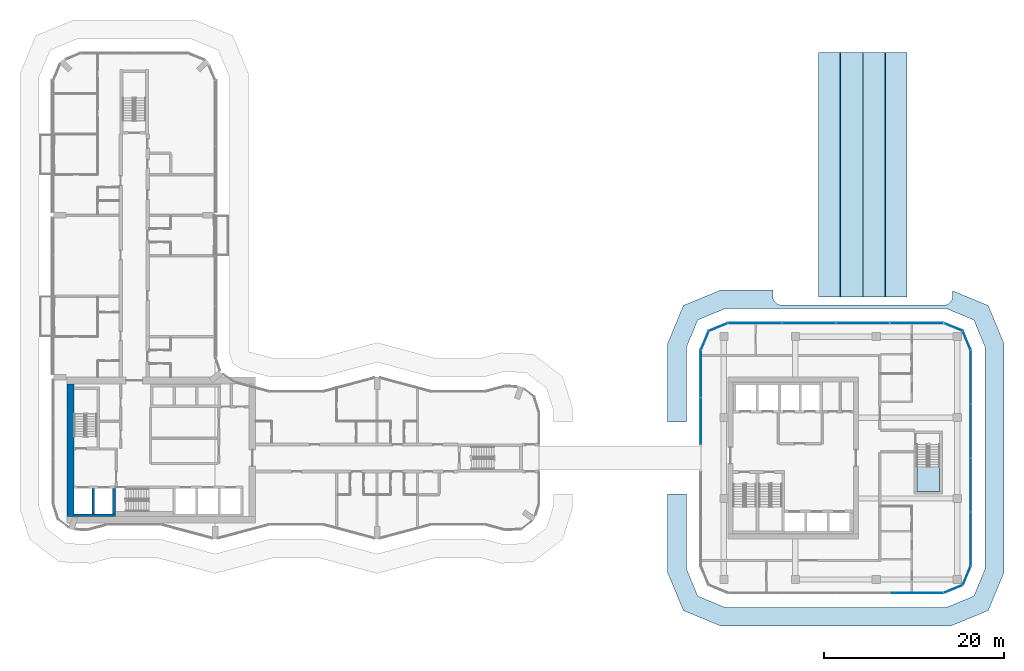
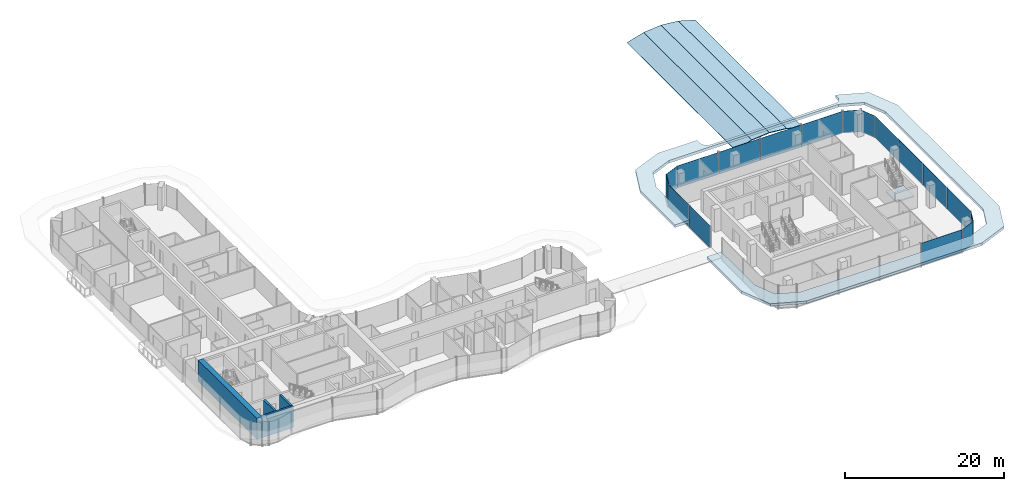
# One storey, part 13 of 24: 17 plates, 6 slabs, 4 walls, 11 elements without a shape of their own.
"""IFC4 building model written with IfcOpenShell, lengths in metres."""

from ifc_helpers import new_model, si_unit, direction, frame, frame_2d, origin, origin_2d, place, context, subcontext, project, spatial, polyline, rectangle, outline, extrude, material, layer, layer_set, type_object, element, aggregate, save


model = new_model("IFC4")

# Units and contexts
model_context = context("Model", 3, precision=1e-05, world=origin(), true_north=direction((0.0, 1.0)))
body_context = subcontext(model_context, "Body", "Model", "MODEL_VIEW")
ifc_project = project(units=[si_unit("LENGTHUNIT", "METRE"), si_unit("AREAUNIT", "SQUARE_METRE"), si_unit("VOLUMEUNIT", "CUBIC_METRE"), si_unit("PLANEANGLEUNIT", "RADIAN"), si_unit("MASSUNIT", "GRAM", prefix="KILO")], contexts=[model_context])

# Site, building, storey
site_placement = place(None, origin())
site = spatial("IfcSite", under=ifc_project, at=site_placement, CompositionType="ELEMENT")
building_placement = place(site_placement, origin())
building = spatial("IfcBuilding", under=site, at=building_placement, Name="Plateau Cross Towers", CompositionType="ELEMENT")
storey_placement = place(building_placement, frame((0.0, 0.0, 30.300048828125)))
storey = spatial("IfcBuildingStorey", under=building, at=storey_placement, Name="L06", CompositionType="ELEMENT", Elevation=30.300048828125)

# Curtain wall, plate
ifc_material_1 = material(Name="Dark low-iron glass", Category="glass")
ifc_layer_1 = layer(ifc_material_1, 0.239990234375)
ifc_layer_set_1 = layer_set([ifc_layer_1], Name="Dark low-iron glass")
curtain_wall_type = type_object("IfcCurtainWallType", Name="Curtain wall office unitised CW-F", PredefinedType="NOTDEFINED", material=ifc_layer_set_1)
curtain_wall_1_placement = place(storey_placement, origin())
curtain_wall_1 = element("IfcCurtainWall", 1, at=curtain_wall_1_placement, inside=storey, type_object=curtain_wall_type, Name="ENV/B/L06/B750_-60", PredefinedType="NOTDEFINED")
ifc_layer_2 = layer(ifc_material_1, 0.028076171875)
ifc_layer_set_2 = layer_set([ifc_layer_2], Name="Dark low-iron glass")
plate_type = type_object("IfcPlateType", Name="Glass panel 28 office unitised", PredefinedType="CURTAIN_PANEL", material=ifc_layer_set_2)
plate_1_placement = place(storey_placement, frame((96.0, -6.0, -0.1298828125), z_axis=(0.0, 0.0, 1.0), x_axis=(1.0, 0.0, 0.0)))
plate_1 = element("IfcPlate", 2, at=plate_1_placement, type_object=plate_type, Name="CW-F panel 4", PredefinedType="CURTAIN_PANEL", context=body_context, shape_type="SweptSolid", body=[
    extrude(rectangle(XDim=5.93994140625, YDim=0.028076171875, at=origin_2d()), origin(), (0.0, 0.0, 1.0), 3.3798828125),
])
aggregate(curtain_wall_1, [plate_1])

curtain_wall_2_placement = place(storey_placement, origin())
curtain_wall_2 = element("IfcCurtainWall", 3, at=curtain_wall_2_placement, inside=storey, type_object=curtain_wall_type, Name="ENV/B/L06/B990_-60", PredefinedType="NOTDEFINED")
plate_2_placement = place(storey_placement, frame((100.060546875, -5.560546875, -0.1298828125), z_axis=(0.0, 0.0, 1.0), x_axis=(0.923879457699, 0.382683612978, 0.0)))
plate_2 = element("IfcPlate", 4, at=plate_2_placement, type_object=plate_type, Name="CW-F panel 1", PredefinedType="CURTAIN_PANEL", context=body_context, shape_type="SweptSolid", body=[
    extrude(rectangle(XDim=2.236083984375, YDim=0.028076171875, at=origin_2d()), origin(), (0.0, 0.0, 1.0), 3.3798828125),
])
aggregate(curtain_wall_2, [plate_2])

curtain_wall_3_placement = place(storey_placement, origin())
curtain_wall_3 = element("IfcCurtainWall", 5, at=curtain_wall_3_placement, inside=storey, type_object=curtain_wall_type, Name="ENV/B/L06/B1011_-51", PredefinedType="NOTDEFINED")
plate_3_placement = place(storey_placement, frame((101.560546875, -4.060546875, -0.1298828125), z_axis=(0.0, 0.0, 1.0), x_axis=(0.382683612978, 0.923879457699, 0.0)))
plate_3 = element("IfcPlate", 6, at=plate_3_placement, type_object=plate_type, Name="CW-F panel 1", PredefinedType="CURTAIN_PANEL", context=body_context, shape_type="SweptSolid", body=[
    extrude(rectangle(XDim=2.236083984375, YDim=0.028076171875, at=origin_2d()), origin(), (0.0, 0.0, 1.0), 3.3798828125),
])
aggregate(curtain_wall_3, [plate_3])

# Curtain wall, plates
curtain_wall_4_placement = place(storey_placement, origin())
curtain_wall_4 = element("IfcCurtainWall", 7, at=curtain_wall_4_placement, inside=storey, type_object=curtain_wall_type, Name="ENV/B/L06/B1020_-30", PredefinedType="NOTDEFINED")
plate_4_placement = place(storey_placement, frame((102.0, 0.0, -0.1298828125), z_axis=(0.0, 0.0, 1.0), x_axis=(0.0, 1.0, 0.0)))
plate_4 = element("IfcPlate", 8, at=plate_4_placement, type_object=plate_type, Name="CW-F panel 1", PredefinedType="CURTAIN_PANEL", context=body_context, shape_type="SweptSolid", body=[
    extrude(rectangle(XDim=5.93994140625, YDim=0.028076171875, at=origin_2d()), origin(), (0.0, 0.0, 1.0), 3.3798828125),
])
plate_5_placement = place(storey_placement, frame((102.0, 6.0, -0.1298828125), z_axis=(0.0, 0.0, 1.0), x_axis=(0.0, 1.0, 0.0)))
plate_5 = element("IfcPlate", 9, at=plate_5_placement, type_object=plate_type, Name="CW-F panel 2", PredefinedType="CURTAIN_PANEL", context=body_context, shape_type="SweptSolid", body=[
    extrude(rectangle(XDim=5.93994140625, YDim=0.028076171875, at=origin_2d()), origin(), (0.0, 0.0, 1.0), 3.3798828125),
])
plate_6_placement = place(storey_placement, frame((102.0, 12.0, -0.1298828125), z_axis=(0.0, 0.0, 1.0), x_axis=(0.0, 1.0, 0.0)))
plate_6 = element("IfcPlate", 10, at=plate_6_placement, type_object=plate_type, Name="CW-F panel 3", PredefinedType="CURTAIN_PANEL", context=body_context, shape_type="SweptSolid", body=[
    extrude(rectangle(XDim=5.93994140625, YDim=0.028076171875, at=origin_2d()), origin(), (0.0, 0.0, 1.0), 3.3798828125),
])
plate_7_placement = place(storey_placement, frame((102.0, 18.0, -0.1298828125), z_axis=(0.0, 0.0, 1.0), x_axis=(0.0, 1.0, 0.0)))
plate_7 = element("IfcPlate", 11, at=plate_7_placement, type_object=plate_type, Name="CW-F panel 4", PredefinedType="CURTAIN_PANEL", context=body_context, shape_type="SweptSolid", body=[
    extrude(rectangle(XDim=5.93994140625, YDim=0.028076171875, at=origin_2d()), origin(), (0.0, 0.0, 1.0), 3.3798828125),
])
aggregate(curtain_wall_4, [plate_4, plate_5, plate_6, plate_7])

# Curtain wall, plate
curtain_wall_5_placement = place(storey_placement, origin())
curtain_wall_5 = element("IfcCurtainWall", 12, at=curtain_wall_5_placement, inside=storey, type_object=curtain_wall_type, Name="ENV/B/L06/B1020_210", PredefinedType="NOTDEFINED")
plate_8_placement = place(storey_placement, frame((101.560546875, 22.060546875, -0.1298828125), z_axis=(0.0, 0.0, 1.0), x_axis=(-0.382683612978, 0.923879457699, 0.0)))
plate_8 = element("IfcPlate", 13, at=plate_8_placement, type_object=plate_type, Name="CW-F panel 1", PredefinedType="CURTAIN_PANEL", context=body_context, shape_type="SweptSolid", body=[
    extrude(rectangle(XDim=2.236083984375, YDim=0.028076171875, at=origin_2d()), origin(), (0.0, 0.0, 1.0), 3.3798828125),
])
aggregate(curtain_wall_5, [plate_8])

curtain_wall_6_placement = place(storey_placement, origin())
curtain_wall_6 = element("IfcCurtainWall", 14, at=curtain_wall_6_placement, inside=storey, type_object=curtain_wall_type, Name="ENV/B/L06/B1011_231", PredefinedType="NOTDEFINED")
plate_9_placement = place(storey_placement, frame((100.060546875, 23.560546875, -0.1298828125), z_axis=(0.0, 0.0, 1.0), x_axis=(-0.923879457699, 0.382683612978, 0.0)))
plate_9 = element("IfcPlate", 15, at=plate_9_placement, type_object=plate_type, Name="CW-F panel 1", PredefinedType="CURTAIN_PANEL", context=body_context, shape_type="SweptSolid", body=[
    extrude(rectangle(XDim=2.236083984375, YDim=0.028076171875, at=origin_2d()), origin(), (0.0, 0.0, 1.0), 3.3798828125),
])
aggregate(curtain_wall_6, [plate_9])

# Curtain wall, plates
curtain_wall_7_placement = place(storey_placement, origin())
curtain_wall_7 = element("IfcCurtainWall", 16, at=curtain_wall_7_placement, inside=storey, type_object=curtain_wall_type, Name="ENV/B/L06/B990_240", PredefinedType="NOTDEFINED")
plate_10_placement = place(storey_placement, frame((96.0, 24.0, -0.1298828125), z_axis=(0.0, 0.0, 1.0), x_axis=(-1.0, 0.0, 0.0)))
plate_10 = element("IfcPlate", 17, at=plate_10_placement, type_object=plate_type, Name="CW-F panel 1", PredefinedType="CURTAIN_PANEL", context=body_context, shape_type="SweptSolid", body=[
    extrude(rectangle(XDim=5.93994140625, YDim=0.028076171875, at=origin_2d()), origin(), (0.0, 0.0, 1.0), 3.3798828125),
])
plate_11_placement = place(storey_placement, frame((90.0, 24.0, -0.1298828125), z_axis=(0.0, 0.0, 1.0), x_axis=(-1.0, 0.0, 0.0)))
plate_11 = element("IfcPlate", 18, at=plate_11_placement, type_object=plate_type, Name="CW-F panel 2", PredefinedType="CURTAIN_PANEL", context=body_context, shape_type="SweptSolid", body=[
    extrude(rectangle(XDim=5.93994140625, YDim=0.028076171875, at=origin_2d()), origin(), (0.0, 0.0, 1.0), 3.3798828125),
])
plate_12_placement = place(storey_placement, frame((84.0, 24.0, -0.1298828125), z_axis=(0.0, 0.0, 1.0), x_axis=(-1.0, 0.0, 0.0)))
plate_12 = element("IfcPlate", 19, at=plate_12_placement, type_object=plate_type, Name="CW-F panel 3", PredefinedType="CURTAIN_PANEL", context=body_context, shape_type="SweptSolid", body=[
    extrude(rectangle(XDim=5.93994140625, YDim=0.028076171875, at=origin_2d()), origin(), (0.0, 0.0, 1.0), 3.3798828125),
])
plate_13_placement = place(storey_placement, frame((78.0, 24.0, -0.1298828125), z_axis=(0.0, 0.0, 1.0), x_axis=(-1.0, 0.0, 0.0)))
plate_13 = element("IfcPlate", 20, at=plate_13_placement, type_object=plate_type, Name="CW-F panel 4", PredefinedType="CURTAIN_PANEL", context=body_context, shape_type="SweptSolid", body=[
    extrude(rectangle(XDim=5.93994140625, YDim=0.028076171875, at=origin_2d()), origin(), (0.0, 0.0, 1.0), 3.3798828125),
])
aggregate(curtain_wall_7, [plate_10, plate_11, plate_12, plate_13])

# Curtain wall, plate
curtain_wall_8_placement = place(storey_placement, origin())
curtain_wall_8 = element("IfcCurtainWall", 21, at=curtain_wall_8_placement, inside=storey, type_object=curtain_wall_type, Name="ENV/B/L06/B750_240", PredefinedType="NOTDEFINED")
plate_14_placement = place(storey_placement, frame((73.939453125, 23.560546875, -0.1298828125), z_axis=(0.0, 0.0, 1.0), x_axis=(-0.923879457699, -0.382683612978, 0.0)))
plate_14 = element("IfcPlate", 22, at=plate_14_placement, type_object=plate_type, Name="CW-F panel 1", PredefinedType="CURTAIN_PANEL", context=body_context, shape_type="SweptSolid", body=[
    extrude(rectangle(XDim=2.236083984375, YDim=0.028076171875, at=origin_2d()), origin(), (0.0, 0.0, 1.0), 3.3798828125),
])
aggregate(curtain_wall_8, [plate_14])

curtain_wall_9_placement = place(storey_placement, origin())
curtain_wall_9 = element("IfcCurtainWall", 23, at=curtain_wall_9_placement, inside=storey, type_object=curtain_wall_type, Name="ENV/B/L06/B729_231", PredefinedType="NOTDEFINED")
plate_15_placement = place(storey_placement, frame((72.439453125, 22.060546875, -0.1298828125), z_axis=(0.0, 0.0, 1.0), x_axis=(-0.382683612978, -0.923879457699, 0.0)))
plate_15 = element("IfcPlate", 24, at=plate_15_placement, type_object=plate_type, Name="CW-F panel 1", PredefinedType="CURTAIN_PANEL", context=body_context, shape_type="SweptSolid", body=[
    extrude(rectangle(XDim=2.236083984375, YDim=0.028076171875, at=origin_2d()), origin(), (0.0, 0.0, 1.0), 3.3798828125),
])
aggregate(curtain_wall_9, [plate_15])

# Curtain wall, plates
curtain_wall_10_placement = place(storey_placement, origin())
curtain_wall_10 = element("IfcCurtainWall", 25, at=curtain_wall_10_placement, inside=storey, type_object=curtain_wall_type, Name="ENV/B/L06/B720_210", PredefinedType="NOTDEFINED")
plate_16_placement = place(storey_placement, frame((72.0, 18.375, -0.1298828125), z_axis=(0.0, 0.0, 1.0), x_axis=(0.0, -1.0, 0.0)))
plate_16 = element("IfcPlate", 26, at=plate_16_placement, type_object=plate_type, Name="CW-F panel 1", PredefinedType="CURTAIN_PANEL", context=body_context, shape_type="SweptSolid", body=[
    extrude(rectangle(XDim=5.18994140625, YDim=0.028076171875, at=origin_2d()), origin(), (0.0, 0.0, 1.0), 3.3798828125),
])
plate_17_placement = place(storey_placement, frame((72.0, 13.125, -0.1298828125), z_axis=(0.0, 0.0, 1.0), x_axis=(0.0, -1.0, 0.0)))
plate_17 = element("IfcPlate", 27, at=plate_17_placement, type_object=plate_type, Name="CW-F panel 2", PredefinedType="CURTAIN_PANEL", context=body_context, shape_type="SweptSolid", body=[
    extrude(rectangle(XDim=5.18994140625, YDim=0.028076171875, at=origin_2d()), origin(), (0.0, 0.0, 1.0), 3.3798828125),
])
aggregate(curtain_wall_10, [plate_16, plate_17])

# Slab
ifc_material_2 = material(Name="Concrete C40/50", Category="concrete")
ifc_layer_3 = layer(ifc_material_2, 0.39990234375)
ifc_layer_set_3 = layer_set([ifc_layer_3], Name="Concrete C40/50")
slab_type_1 = type_object("IfcSlabType", Name="Plinth canopy slab 400", PredefinedType="ROOF", material=ifc_layer_set_3)
slab_1_placement = place(storey_placement, frame((0.0, 0.0, 2.800048828125)))
element("IfcSlab", 28, at=slab_1_placement, inside=storey, type_object=slab_type_1, Name="Plinth canopy 1", PredefinedType="ROOF", context=body_context, shape_type="SweptSolid", body=[
    extrude(outline(polyline([(68.300048828125, 5.0), (70.39990234375, 5.0), (70.39990234375, -3.318359375), (71.654052734375, -6.345947265625), (74.681640625, -7.60009765625), (99.318359375, -7.60009765625), (102.345947265625, -6.345947265625), (103.60009765625, -3.318359375), (103.60009765625, 21.318359375), (102.345947265625, 24.345947265625), (99.318359375, 25.60009765625), (74.681640625, 25.60009765625), (71.654052734375, 24.345947265625), (70.39990234375, 21.318359375), (70.39990234375, 13.0), (68.300048828125, 13.0), (68.300048828125, 21.736083984375), (70.046875, 25.953125), (74.263916015625, 27.699951171875), (80.0, 27.699951171875), (80.0048828125, 26.902099609375), (80.04296875, 26.709716796875), (80.1181640625, 26.528564453125), (80.22705078125, 26.36572265625), (80.4443359375, 26.16845703125), (80.709716796875, 26.04296875), (81.0, 26.0), (99.097900390625, 26.0048828125), (99.290283203125, 26.04296875), (99.5556640625, 26.16845703125), (99.77294921875, 26.36572265625), (99.8818359375, 26.528564453125), (99.95703125, 26.709716796875), (99.9951171875, 26.902099609375), (100.0, 27.590576171875), (103.953125, 25.953125), (105.699951171875, 21.736083984375), (105.699951171875, -3.736083984375), (103.953125, -7.953125), (99.736083984375, -9.699951171875), (74.263916015625, -9.699951171875), (70.046875, -7.953125), (68.300048828125, -3.736083984375), (68.300048828125, 5.0)])), origin(), (0.0, 0.0, 1.0), 0.39990234375),
])

# Stair, slab
stair_type = type_object("IfcStairType", Name="ST-TWR", PredefinedType="HALF_TURN_STAIR", material=ifc_material_2)
stair_placement = place(storey_placement, origin())
stair = element("IfcStair", 29, at=stair_placement, inside=storey, type_object=stair_type, Name="L06 Protected Exit Stair SB-3", PredefinedType="HALF_TURN_STAIR")
ifc_layer_4 = layer(ifc_material_2, 0.199951171875)
ifc_layer_set_4 = layer_set([ifc_layer_4], Name="Concrete C40/50")
slab_type_2 = type_object("IfcSlabType", Name="SL-LANDING", PredefinedType="LANDING", material=ifc_layer_set_4)
slab_2_placement = place(storey_placement, frame((0.0, 0.0, 1.550048828125)))
slab_2 = element("IfcSlab", 30, at=slab_2_placement, type_object=slab_type_2, Name="SB-3 landing 1", PredefinedType="LANDING", context=body_context, shape_type="SweptSolid", body=[
    extrude(outline(polyline([(96.0, 7.97998046875), (96.0, 5.300048828125), (98.550048828125, 5.300048828125), (98.550048828125, 7.97998046875), (96.0, 7.97998046875)])), origin(), (0.0, 0.0, 1.0), 0.199951171875),
])
aggregate(stair, [slab_2])

# Slabs
ifc_material_3 = material(Name="Toughened glass with bonded interlayer", Category="glass")
ifc_layer_5 = layer(ifc_material_3, 0.10009765625)
ifc_layer_set_5 = layer_set([ifc_layer_5], Name="Toughened glass with bonded interlayer")
slab_type_3 = type_object("IfcSlabType", Name="Vault glazed roof panel 100", PredefinedType="ROOF", material=ifc_layer_set_5)
slab_3_placement = place(storey_placement, frame((85.06005859375, 26.89990234375, 0.399658203125), z_axis=(-0.28155422962, 0.0, 0.959545317212), x_axis=(0.959545317212, 0.0, 0.28155422962)))
element("IfcSlab", 31, at=slab_3_placement, inside=storey, type_object=slab_type_3, Name="Pavilion roof panel 3", PredefinedType="ROOF", context=body_context, shape_type="SweptSolid", body=[
    extrude(outline(polyline([(0.0, 0.0), (2.5267806568220306, 0.0), (2.5267806568220306, 27.2001953125), (0.0, 27.2001953125), (0.0, 0.0)])), origin(), (0.0, 0.0, -1.0), 0.10009765625),
])
for number, where, z_axis, x_axis, name in (
    (32, (87.484619140625, 26.89990234375, 1.111083984375), (-0.094977796899, 0.0, 0.995479391096), (0.995479391096, 0.0, 0.094977796899), "Pavilion roof panel 4"),
    (33, (90.0, 26.89990234375, 1.35107421875), (0.094977796899, 0.0, 0.995479391096), (0.995479391096, 0.0, -0.094977796899), "Pavilion roof panel 5"),
):
    element("IfcSlab", number, at=place(storey_placement, frame(where, z_axis=z_axis, x_axis=x_axis)), inside=storey, type_object=slab_type_3, Name=name, PredefinedType="ROOF", context=body_context, shape_type="SweptSolid", body=[
        extrude(outline(polyline([(0.0, 0.0), (2.5268035500025485, 0.0), (2.5268035500025485, 27.200195312499996), (0.0, 27.200195312499996), (0.0, 0.0)])), origin(), (0.0, 0.0, -1.0), 0.10009765625),
    ])
slab_4_placement = place(storey_placement, frame((92.515380859375, 26.89990234375, 1.111083984375), z_axis=(0.28155422962, 0.0, 0.959545317212), x_axis=(0.959545317212, 0.0, -0.28155422962)))
element("IfcSlab", 34, at=slab_4_placement, inside=storey, type_object=slab_type_3, Name="Pavilion roof panel 6", PredefinedType="ROOF", context=body_context, shape_type="SweptSolid", body=[
    extrude(outline(polyline([(0.0, 0.0), (2.5267806568220306, 0.0), (2.5267806568220306, 27.2001953125), (0.0, 27.2001953125), (0.0, 0.0)])), origin(), (0.0, 0.0, -1.0), 0.10009765625),
])

# Walls
ifc_material_4 = material(Name="Concrete C60/75", Category="concrete")
ifc_layer_6 = layer(ifc_material_4, 0.300048828125)
ifc_layer_set_6 = layer_set([ifc_layer_6], Name="Concrete C60/75")
wall_type_1 = type_object("IfcWallType", Name="Core shaft wall 300", PredefinedType="SHEAR", material=ifc_layer_set_6)
wall_1_placement = place(storey_placement, frame((2.300048828125, 2.64990234375, 0.0), z_axis=(0.0, 0.0, 1.0), x_axis=(1.0, 0.0, 0.0)))
element("IfcWall", 35, at=wall_1_placement, inside=storey, type_object=wall_type_1, Name="A-sb-back1@L06", PredefinedType="SHEAR", context=body_context, shape_type="SweptSolid", body=[
    extrude(rectangle(XDim=4.599853515625, YDim=0.300048828125, at=frame_2d((2.2998046875, 0.0))), origin(), (0.0, 0.0, 1.0), 3.25),
])
for number, where, z_axis, x_axis, name in (
    (36, (4.449951171875, 2.800048828125, 0.0), (0.0, 0.0, 1.0), (0.0, 1.0, 0.0), "A-sb-v1@L06"),
    (37, (6.75, 2.800048828125, 0.0), (0.0, 0.0, 1.0), (0.0, 1.0, 0.0), "A-sb-v2@L06"),
):
    element("IfcWall", number, at=place(storey_placement, frame(where, z_axis=z_axis, x_axis=x_axis)), inside=storey, type_object=wall_type_1, Name=name, PredefinedType="SHEAR", context=body_context, shape_type="SweptSolid", body=[
        extrude(rectangle(XDim=2.800048828125, YDim=0.300048828125, at=frame_2d((1.39990234375, 0.0))), origin(), (0.0, 0.0, 1.0), 3.25),
    ])
ifc_layer_7 = layer(ifc_material_4, 0.75)
ifc_layer_set_7 = layer_set([ifc_layer_7], Name="Concrete C60/75")
wall_type_2 = type_object("IfcWallType", Name="Core shell wall 750", PredefinedType="SHEAR", material=ifc_layer_set_7)
wall_2_placement = place(storey_placement, frame((1.925048828125, 2.5, 0.0), z_axis=(0.0, 0.0, 1.0), x_axis=(0.0, 1.0, 0.0)))
element("IfcWall", 38, at=wall_2_placement, inside=storey, type_object=wall_type_2, Name="A-core-W@L06", PredefinedType="SHEAR", context=body_context, shape_type="SweptSolid", body=[
    extrude(rectangle(XDim=14.75, YDim=0.75, at=frame_2d((7.375, 0.0))), origin(), (0.0, 0.0, 1.0), 3.25),
])

save(model, "model.ifc")
